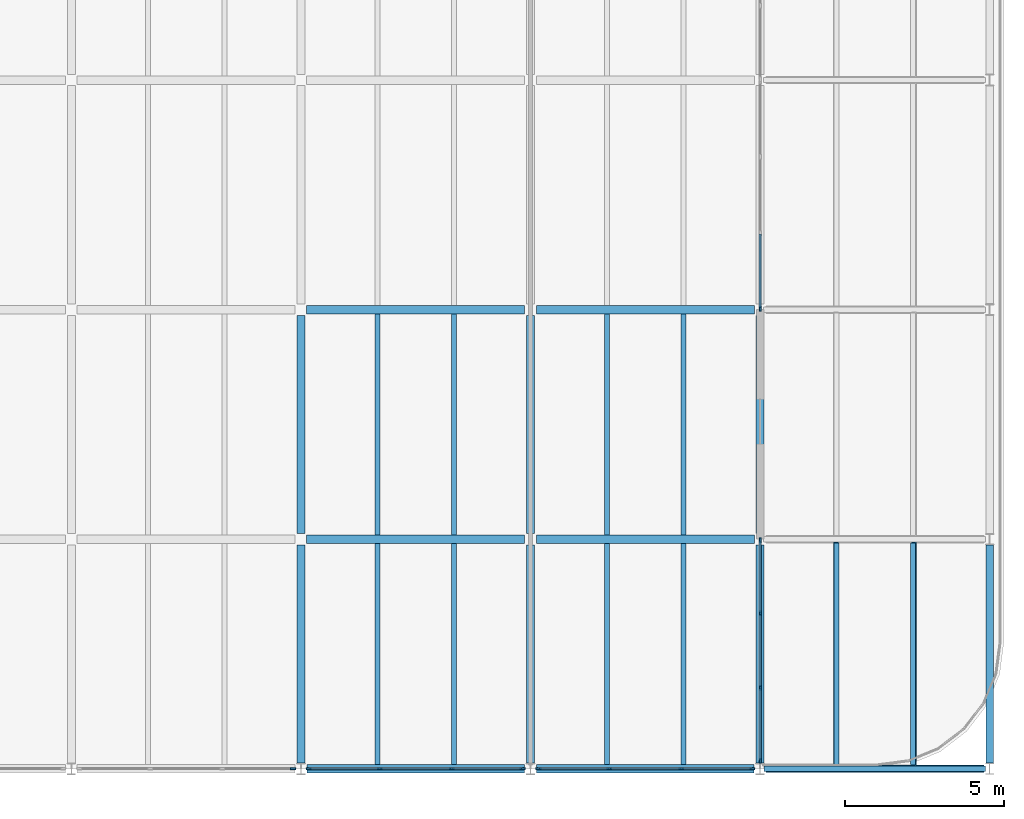
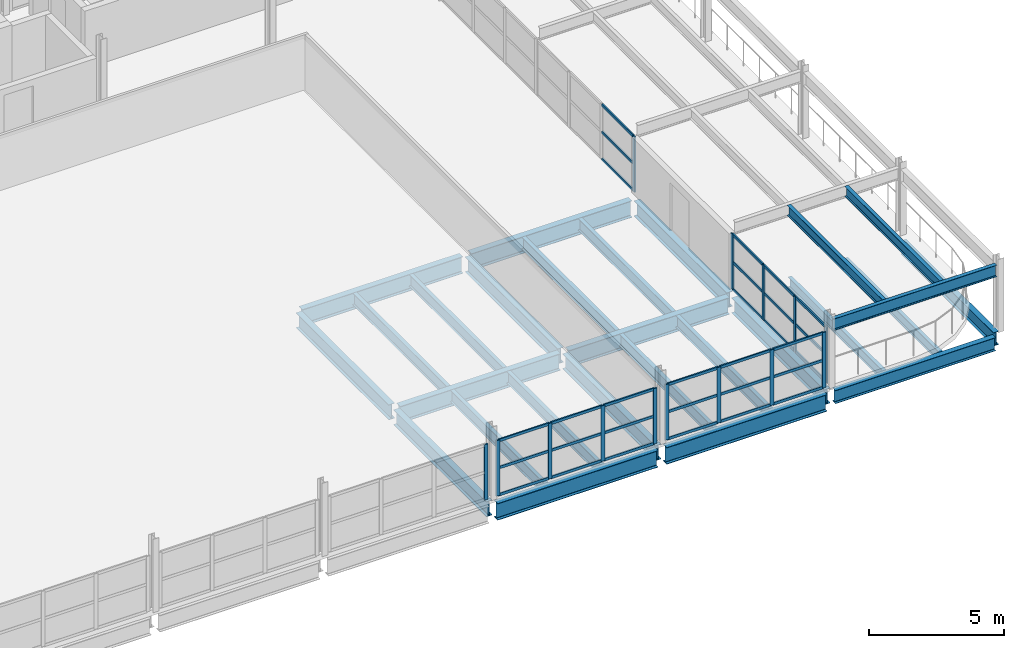
# One storey, part 15 of 25: 44 members, 27 beams, 5 elements without a shape of their own.
"""IFC4 building model written with IfcOpenShell, lengths in metres."""

from ifc_helpers import new_model, si_unit, direction, frame, origin, origin_2d, place, context, subcontext, project, spatial, rectangle, i_section, extrude, material, material_profile, profile_set, type_object, element, aggregate, save


model = new_model("IFC4")

# Units and contexts
model_context = context("Model", 3, precision=1e-05, world=origin(), true_north=direction((0.0, 1.0)))
body_context = subcontext(model_context, "Body", "Model", "MODEL_VIEW")
ifc_project = project(units=[si_unit("LENGTHUNIT", "METRE"), si_unit("AREAUNIT", "SQUARE_METRE"), si_unit("VOLUMEUNIT", "CUBIC_METRE"), si_unit("PLANEANGLEUNIT", "RADIAN"), si_unit("MASSUNIT", "GRAM", prefix="KILO")], contexts=[model_context])

# Site, building, storey
site_placement = place(None, origin())
site = spatial("IfcSite", under=ifc_project, at=site_placement, CompositionType="ELEMENT")
building_placement = place(site_placement, origin())
building = spatial("IfcBuilding", under=site, at=building_placement, Name="Vaelcorin Mobility Hub", CompositionType="ELEMENT")
storey_placement = place(building_placement, frame((0.0, 0.0, 21.0)))
storey = spatial("IfcBuildingStorey", under=building, at=storey_placement, Name="L05", CompositionType="ELEMENT", Elevation=21.0)

# Beams
ifc_material_1 = material(Name="Steel ASTM A992 Grade 50", Category="steel")
ifc_material_profile_1 = material_profile(ifc_material_1, i_section(OverallWidth=0.152099609375, OverallDepth=0.455078125, WebThickness=0.008056640625, FlangeThickness=0.01318359375, FilletRadius=0.012939453125, at=origin_2d()), Name="W18X40")
ifc_profile_set_1 = profile_set([ifc_material_profile_1], Name="Steel ASTM A992 Grade 50")
beam_type_1 = type_object("IfcBeamType", Name="BM-W18X40", PredefinedType="JOIST", material=ifc_profile_set_1)
for number, where, z_axis, x_axis, name in (
    (1, (117.60009765625, 84.112060546875, -0.447021484375), (0.0, 1.0, 0.0), (-1.0, 0.0, 0.0), "L05 Beam V3E-L05-J-01-01-1"),
    (2, (120.0, 84.112060546875, -0.447021484375), (0.0, 1.0, 0.0), (-1.0, 0.0, 0.0), "L05 Beam V3E-L05-J-01-01-2"),
):
    element("IfcBeam", number, at=place(storey_placement, frame(where, z_axis=z_axis, x_axis=x_axis)), inside=storey, type_object=beam_type_1, Name=name, PredefinedType="JOIST", context=body_context, shape_type="SweptSolid", body=[
        extrude(i_section(OverallWidth=0.152099609375, OverallDepth=0.455078125, WebThickness=0.008056640625, FlangeThickness=0.01318359375, FilletRadius=0.012939453125, at=origin_2d()), origin(), (0.0, 0.0, 1.0), 6.975830078125),
    ])
for number, where, z_axis, x_axis, name in (
    (3, (120.02392578125, 84.0810546875, 2.77197265625), (0.0, 1.0, 0.0), (-1.0, 0.0, 0.0), "L05 Beam V3-PERG-J-E-01-1"),
    (4, (117.575927734375, 84.0810546875, 2.77197265625), (0.0, 1.0, 0.0), (-1.0, 0.0, 0.0), "L05 Beam V3-PERG-J-E-01-2"),
):
    element("IfcBeam", number, at=place(storey_placement, frame(where, z_axis=z_axis, x_axis=x_axis)), inside=storey, type_object=beam_type_1, Name=name, PredefinedType="JOIST", context=body_context, shape_type="SweptSolid", body=[
        extrude(i_section(OverallWidth=0.152099609375, OverallDepth=0.455078125, WebThickness=0.008056640625, FlangeThickness=0.01318359375, FilletRadius=0.012939453125, at=origin_2d()), origin(), (0.0, 0.0, 1.0), 7.037841796875),
    ])
ifc_material_profile_2 = material_profile(ifc_material_1, i_section(OverallWidth=0.166015625, OverallDepth=0.528076171875, WebThickness=0.009765625, FlangeThickness=0.013671875, FilletRadius=0.013916015625, at=origin_2d()), Name="W21X50")
ifc_profile_set_2 = profile_set([ifc_material_profile_2], Name="Steel ASTM A992 Grade 50")
beam_type_2 = type_object("IfcBeamType", Name="BM-W21X50", PredefinedType="JOIST", material=ifc_profile_set_2)
for number, where, z_axis, x_axis, name in (
    (5, (103.199951171875, 84.132080078125, -0.52392578125), (0.0, 1.0, 0.0), (-1.0, 0.0, 0.0), "L05 Beam V3-L05-J-09-01-1"),
    (6, (105.60009765625, 84.132080078125, -0.52392578125), (0.0, 1.0, 0.0), (-1.0, 0.0, 0.0), "L05 Beam V3-L05-J-09-01-2"),
    (7, (103.199951171875, 91.33203125, -0.52392578125), (0.0, 1.0, 0.0), (-1.0, 0.0, 0.0), "L05 Beam V3-L05-J-09-02-1"),
    (8, (105.60009765625, 91.33203125, -0.52392578125), (0.0, 1.0, 0.0), (-1.0, 0.0, 0.0), "L05 Beam V3-L05-J-09-02-2"),
    (9, (110.39990234375, 84.132080078125, -0.52392578125), (0.0, 1.0, 0.0), (-1.0, 0.0, 0.0), "L05 Beam V3-L05-J-10-01-1"),
    (10, (112.800048828125, 84.132080078125, -0.52392578125), (0.0, 1.0, 0.0), (-1.0, 0.0, 0.0), "L05 Beam V3-L05-J-10-01-2"),
    (11, (110.39990234375, 91.33203125, -0.52392578125), (0.0, 1.0, 0.0), (-1.0, 0.0, 0.0), "L05 Beam V3-L05-J-10-02-1"),
    (12, (112.800048828125, 91.33203125, -0.52392578125), (0.0, 1.0, 0.0), (-1.0, 0.0, 0.0), "L05 Beam V3-L05-J-10-02-2"),
):
    element("IfcBeam", number, at=place(storey_placement, frame(where, z_axis=z_axis, x_axis=x_axis)), inside=storey, type_object=beam_type_2, Name=name, PredefinedType="JOIST", context=body_context, shape_type="SweptSolid", body=[
        extrude(i_section(OverallWidth=0.166015625, OverallDepth=0.528076171875, WebThickness=0.009765625, FlangeThickness=0.013671875, FilletRadius=0.013916015625, at=origin_2d()), origin(), (0.0, 0.0, 1.0), 6.93603515625),
    ])
beam_1_placement = place(storey_placement, frame((115.325927734375, 84.0, 2.736083984375), z_axis=(1.0, 0.0, 0.0), x_axis=(0.0, 1.0, 0.0)))
element("IfcBeam", 13, at=beam_1_placement, inside=storey, type_object=beam_type_2, Name="L05 Beam V3-PERG-GX-12-00", PredefinedType="JOIST", context=body_context, shape_type="SweptSolid", body=[
    extrude(i_section(OverallWidth=0.166015625, OverallDepth=0.528076171875, WebThickness=0.009765625, FlangeThickness=0.013671875, FilletRadius=0.013916015625, at=origin_2d()), origin(), (0.0, 0.0, 1.0), 6.948974609375),
])
ifc_material_profile_3 = material_profile(ifc_material_1, i_section(OverallWidth=0.22802734375, OverallDepth=0.60205078125, WebThickness=0.010498046875, FlangeThickness=0.014892578125, FilletRadius=0.014892578125, at=origin_2d()), Name="W24X68")
ifc_profile_set_3 = profile_set([ifc_material_profile_3], Name="Steel ASTM A992 Grade 50")
beam_type_3 = type_object("IfcBeamType", Name="BM-W24X68", PredefinedType="SPANDREL", material=ifc_profile_set_3)
beam_2_placement = place(storey_placement, frame((115.384033203125, 84.0, -0.52099609375), z_axis=(1.0, 0.0, 0.0), x_axis=(0.0, 1.0, 0.0)))
element("IfcBeam", 14, at=beam_2_placement, inside=storey, type_object=beam_type_3, Name="L05 Beam V3E-L05-GX-01-01", PredefinedType="SPANDREL", context=body_context, shape_type="SweptSolid", body=[
    extrude(i_section(OverallWidth=0.22802734375, OverallDepth=0.60205078125, WebThickness=0.010498046875, FlangeThickness=0.014892578125, FilletRadius=0.014892578125, at=origin_2d()), origin(), (0.0, 0.0, 1.0), 6.8330078125),
])
beam_3_placement = place(storey_placement, frame((122.39990234375, 84.179931640625, -0.52099609375), z_axis=(0.0, 1.0, 0.0), x_axis=(-1.0, 0.0, 0.0)))
element("IfcBeam", 15, at=beam_3_placement, inside=storey, type_object=beam_type_3, Name="L05 Beam V3E-L05-GY-02-01", PredefinedType="SPANDREL", context=body_context, shape_type="SweptSolid", body=[
    extrude(i_section(OverallWidth=0.22802734375, OverallDepth=0.60205078125, WebThickness=0.010498046875, FlangeThickness=0.014892578125, FilletRadius=0.014892578125, at=origin_2d()), origin(), (0.0, 0.0, 1.0), 6.843994140625),
])
ifc_material_profile_4 = material_profile(ifc_material_1, i_section(OverallWidth=0.25390625, OverallDepth=0.68310546875, WebThickness=0.012451171875, FlangeThickness=0.018798828125, FilletRadius=0.01611328125, at=origin_2d()), Name="W27X94")
ifc_profile_set_4 = profile_set([ifc_material_profile_4], Name="Steel ASTM A992 Grade 50")
beam_type_4 = type_object("IfcBeamType", Name="BM-W27X94", PredefinedType="BEAM", material=ifc_profile_set_4)
beam_4_placement = place(storey_placement, frame((100.800048828125, 84.179931640625, -0.60205078125), z_axis=(0.0, 1.0, 0.0), x_axis=(-1.0, 0.0, 0.0)))
element("IfcBeam", 16, at=beam_4_placement, inside=storey, type_object=beam_type_4, Name="L05 Beam V3-L05-GY-09-01", PredefinedType="BEAM", context=body_context, shape_type="SweptSolid", body=[
    extrude(i_section(OverallWidth=0.25390625, OverallDepth=0.68310546875, WebThickness=0.012451171875, FlangeThickness=0.018798828125, FilletRadius=0.01611328125, at=origin_2d()), origin(), (0.0, 0.0, 1.0), 6.843994140625),
])
beam_5_placement = place(storey_placement, frame((100.800048828125, 91.3759765625, -0.60205078125), z_axis=(0.0, 1.0, 0.0), x_axis=(-1.0, 0.0, 0.0)))
element("IfcBeam", 17, at=beam_5_placement, inside=storey, type_object=beam_type_4, Name="L05 Beam V3-L05-GY-09-02", PredefinedType="BEAM", context=body_context, shape_type="SweptSolid", body=[
    extrude(i_section(OverallWidth=0.25390625, OverallDepth=0.68310546875, WebThickness=0.012451171875, FlangeThickness=0.018798828125, FilletRadius=0.01611328125, at=origin_2d()), origin(), (0.0, 0.0, 1.0), 6.84814453125),
])
beam_6_placement = place(storey_placement, frame((108.0, 84.179931640625, -0.60205078125), z_axis=(0.0, 1.0, 0.0), x_axis=(-1.0, 0.0, 0.0)))
element("IfcBeam", 18, at=beam_6_placement, inside=storey, type_object=beam_type_4, Name="L05 Beam V3-L05-GY-10-01", PredefinedType="BEAM", context=body_context, shape_type="SweptSolid", body=[
    extrude(i_section(OverallWidth=0.25390625, OverallDepth=0.68310546875, WebThickness=0.012451171875, FlangeThickness=0.018798828125, FilletRadius=0.01611328125, at=origin_2d()), origin(), (0.0, 0.0, 1.0), 6.843994140625),
])
beam_7_placement = place(storey_placement, frame((108.0, 91.3759765625, -0.60205078125), z_axis=(0.0, 1.0, 0.0), x_axis=(-1.0, 0.0, 0.0)))
element("IfcBeam", 19, at=beam_7_placement, inside=storey, type_object=beam_type_4, Name="L05 Beam V3-L05-GY-10-02", PredefinedType="BEAM", context=body_context, shape_type="SweptSolid", body=[
    extrude(i_section(OverallWidth=0.25390625, OverallDepth=0.68310546875, WebThickness=0.012451171875, FlangeThickness=0.018798828125, FilletRadius=0.01611328125, at=origin_2d()), origin(), (0.0, 0.0, 1.0), 6.84814453125),
])
beam_8_placement = place(storey_placement, frame((115.199951171875, 84.179931640625, -0.60205078125), z_axis=(0.0, 1.0, 0.0), x_axis=(-1.0, 0.0, 0.0)))
element("IfcBeam", 20, at=beam_8_placement, inside=storey, type_object=beam_type_4, Name="L05 Beam V3-L05-GY-11-01", PredefinedType="BEAM", context=body_context, shape_type="SweptSolid", body=[
    extrude(i_section(OverallWidth=0.25390625, OverallDepth=0.68310546875, WebThickness=0.012451171875, FlangeThickness=0.018798828125, FilletRadius=0.01611328125, at=origin_2d()), origin(), (0.0, 0.0, 1.0), 6.843994140625),
])
beam_9_placement = place(storey_placement, frame((115.199951171875, 91.3759765625, -0.60205078125), z_axis=(0.0, 1.0, 0.0), x_axis=(-1.0, 0.0, 0.0)))
element("IfcBeam", 21, at=beam_9_placement, inside=storey, type_object=beam_type_4, Name="L05 Beam V3-L05-GY-11-02", PredefinedType="BEAM", context=body_context, shape_type="SweptSolid", body=[
    extrude(i_section(OverallWidth=0.25390625, OverallDepth=0.68310546875, WebThickness=0.012451171875, FlangeThickness=0.018798828125, FilletRadius=0.01611328125, at=origin_2d()), origin(), (0.0, 0.0, 1.0), 6.84814453125),
])
ifc_material_profile_5 = material_profile(ifc_material_1, i_section(OverallWidth=0.26708984375, OverallDepth=0.757080078125, WebThickness=0.013916015625, FlangeThickness=0.019287109375, FilletRadius=0.01708984375, at=origin_2d()), Name="W30X108")
ifc_profile_set_5 = profile_set([ifc_material_profile_5], Name="Steel ASTM A992 Grade 50")
beam_type_5 = type_object("IfcBeamType", Name="BM-W30X108", PredefinedType="BEAM", material=ifc_profile_set_5)
for number, where, z_axis, x_axis, name in (
    (22, (100.98291015625, 84.0, -0.637939453125), (1.0, 0.0, 0.0), (0.0, 1.0, 0.0), "L05 Beam V3-L05-GX-01-09"),
    (23, (108.18408203125, 84.0, -0.637939453125), (1.0, 0.0, 0.0), (0.0, 1.0, 0.0), "L05 Beam V3-L05-GX-01-10"),
):
    element("IfcBeam", number, at=place(storey_placement, frame(where, z_axis=z_axis, x_axis=x_axis)), inside=storey, type_object=beam_type_5, Name=name, PredefinedType="BEAM", context=body_context, shape_type="SweptSolid", body=[
        extrude(i_section(OverallWidth=0.26708984375, OverallDepth=0.757080078125, WebThickness=0.013916015625, FlangeThickness=0.019287109375, FilletRadius=0.01708984375, at=origin_2d()), origin(), (0.0, 0.0, 1.0), 6.8330078125),
    ])
for number, where, z_axis, x_axis, name in (
    (24, (100.98193359375, 91.199951171875, -0.637939453125), (1.0, 0.0, 0.0), (0.0, 1.0, 0.0), "L05 Beam V3-L05-GX-02-09"),
    (25, (108.181884765625, 91.199951171875, -0.637939453125), (1.0, 0.0, 0.0), (0.0, 1.0, 0.0), "L05 Beam V3-L05-GX-02-10"),
    (26, (100.98193359375, 98.39990234375, -0.637939453125), (1.0, 0.0, 0.0), (0.0, 1.0, 0.0), "L05 Beam V3-L05-GX-03-09"),
    (27, (108.181884765625, 98.39990234375, -0.637939453125), (1.0, 0.0, 0.0), (0.0, 1.0, 0.0), "L05 Beam V3-L05-GX-03-10"),
):
    element("IfcBeam", number, at=place(storey_placement, frame(where, z_axis=z_axis, x_axis=x_axis)), inside=storey, type_object=beam_type_5, Name=name, PredefinedType="BEAM", context=body_context, shape_type="SweptSolid", body=[
        extrude(i_section(OverallWidth=0.26708984375, OverallDepth=0.757080078125, WebThickness=0.013916015625, FlangeThickness=0.019287109375, FilletRadius=0.01708984375, at=origin_2d()), origin(), (0.0, 0.0, 1.0), 6.836181640625),
    ])

# Curtain wall, member
ifc_material_2 = material(Name="Anodised aluminium 6063-T6", Category="aluminium")
curtain_wall_type_1 = type_object("IfcCurtainWallType", Name="CW-SPT-A", PredefinedType="NOTDEFINED", material=ifc_material_2)
curtain_wall_1_placement = place(storey_placement, origin())
curtain_wall_1 = element("IfcCurtainWall", 28, at=curtain_wall_1_placement, inside=storey, type_object=curtain_wall_type_1, Name="L05 Curtain Wall CW-V3-S-08", PredefinedType="NOTDEFINED")
ifc_material_profile_6 = material_profile(ifc_material_2, rectangle(XDim=0.06005859375, YDim=0.159912109375, at=origin_2d()), Name="ALU-M60X160")
ifc_profile_set_6 = profile_set([ifc_material_profile_6], Name="Anodised aluminium 6063-T6")
member_type_1 = type_object("IfcMemberType", Name="CW-MULL-160", PredefinedType="MULLION", material=ifc_profile_set_6)
member_1_placement = place(storey_placement, frame((100.550048828125, 84.0, 0.0), z_axis=(0.0, 0.0, 1.0), x_axis=(0.0, -1.0, 0.0)))
member_1 = element("IfcMember", 29, at=member_1_placement, type_object=member_type_1, Name="CW5 mullion 1", PredefinedType="MULLION", context=body_context, shape_type="SweptSolid", body=[
    extrude(rectangle(XDim=0.06005859375, YDim=0.159912109375, at=origin_2d()), origin(), (0.0, 0.0, 1.0), 2.5),
])
aggregate(curtain_wall_1, [member_1])

# Curtain wall, members
curtain_wall_2_placement = place(storey_placement, origin())
curtain_wall_2 = element("IfcCurtainWall", 30, at=curtain_wall_2_placement, inside=storey, type_object=curtain_wall_type_1, Name="L05 Curtain Wall CW-V3-S-09", PredefinedType="NOTDEFINED")
member_2_placement = place(storey_placement, frame((107.75, 84.0, 0.0), z_axis=(0.0, 0.0, 1.0), x_axis=(0.0, -1.0, 0.0)))
member_2 = element("IfcMember", 31, at=member_2_placement, type_object=member_type_1, Name="CW5 mullion 1", PredefinedType="MULLION", context=body_context, shape_type="SweptSolid", body=[
    extrude(rectangle(XDim=0.06005859375, YDim=0.159912109375, at=origin_2d()), origin(), (0.0, 0.0, 1.0), 2.5),
])
member_3_placement = place(storey_placement, frame((105.526611328125, 84.0, 0.0), z_axis=(0.0, 0.0, 1.0), x_axis=(0.0, -1.0, 0.0)))
member_3 = element("IfcMember", 32, at=member_3_placement, type_object=member_type_1, Name="CW5 mullion 2", PredefinedType="MULLION", context=body_context, shape_type="SweptSolid", body=[
    extrude(rectangle(XDim=0.06005859375, YDim=0.159912109375, at=origin_2d()), origin(), (0.0, 0.0, 1.0), 2.5),
])
member_4_placement = place(storey_placement, frame((103.2734375, 84.0, 0.0), z_axis=(0.0, 0.0, 1.0), x_axis=(0.0, -1.0, 0.0)))
member_4 = element("IfcMember", 33, at=member_4_placement, type_object=member_type_1, Name="CW5 mullion 3", PredefinedType="MULLION", context=body_context, shape_type="SweptSolid", body=[
    extrude(rectangle(XDim=0.06005859375, YDim=0.159912109375, at=origin_2d()), origin(), (0.0, 0.0, 1.0), 2.5),
])
member_5_placement = place(storey_placement, frame((101.050048828125, 84.0, 0.0), z_axis=(0.0, 0.0, 1.0), x_axis=(0.0, -1.0, 0.0)))
member_5 = element("IfcMember", 34, at=member_5_placement, type_object=member_type_1, Name="CW5 mullion 4", PredefinedType="MULLION", context=body_context, shape_type="SweptSolid", body=[
    extrude(rectangle(XDim=0.06005859375, YDim=0.159912109375, at=origin_2d()), origin(), (0.0, 0.0, 1.0), 2.5),
])

curtain_wall_3_placement = place(storey_placement, origin())
curtain_wall_3 = element("IfcCurtainWall", 35, at=curtain_wall_3_placement, inside=storey, type_object=curtain_wall_type_1, Name="L05 Curtain Wall CW-V3-S-10", PredefinedType="NOTDEFINED")
member_6_placement = place(storey_placement, frame((114.949951171875, 84.0, 0.0), z_axis=(0.0, 0.0, 1.0), x_axis=(0.0, -1.0, 0.0)))
member_6 = element("IfcMember", 36, at=member_6_placement, type_object=member_type_1, Name="CW5 mullion 1", PredefinedType="MULLION", context=body_context, shape_type="SweptSolid", body=[
    extrude(rectangle(XDim=0.06005859375, YDim=0.159912109375, at=origin_2d()), origin(), (0.0, 0.0, 1.0), 2.5),
])
member_7_placement = place(storey_placement, frame((112.7265625, 84.0, 0.0), z_axis=(0.0, 0.0, 1.0), x_axis=(0.0, -1.0, 0.0)))
member_7 = element("IfcMember", 37, at=member_7_placement, type_object=member_type_1, Name="CW5 mullion 2", PredefinedType="MULLION", context=body_context, shape_type="SweptSolid", body=[
    extrude(rectangle(XDim=0.06005859375, YDim=0.159912109375, at=origin_2d()), origin(), (0.0, 0.0, 1.0), 2.5),
])
member_8_placement = place(storey_placement, frame((110.473388671875, 84.0, 0.0), z_axis=(0.0, 0.0, 1.0), x_axis=(0.0, -1.0, 0.0)))
member_8 = element("IfcMember", 38, at=member_8_placement, type_object=member_type_1, Name="CW5 mullion 3", PredefinedType="MULLION", context=body_context, shape_type="SweptSolid", body=[
    extrude(rectangle(XDim=0.06005859375, YDim=0.159912109375, at=origin_2d()), origin(), (0.0, 0.0, 1.0), 2.5),
])
member_9_placement = place(storey_placement, frame((108.25, 84.0, 0.0), z_axis=(0.0, 0.0, 1.0), x_axis=(0.0, -1.0, 0.0)))
member_9 = element("IfcMember", 39, at=member_9_placement, type_object=member_type_1, Name="CW5 mullion 4", PredefinedType="MULLION", context=body_context, shape_type="SweptSolid", body=[
    extrude(rectangle(XDim=0.06005859375, YDim=0.159912109375, at=origin_2d()), origin(), (0.0, 0.0, 1.0), 2.5),
])

curtain_wall_type_2 = type_object("IfcCurtainWallType", Name="CW-SPT-B", PredefinedType="NOTDEFINED", material=ifc_material_2)
curtain_wall_4_placement = place(storey_placement, origin())
curtain_wall_4 = element("IfcCurtainWall", 40, at=curtain_wall_4_placement, inside=storey, type_object=curtain_wall_type_2, Name="L05 Curtain Wall CW-V3-E-01", PredefinedType="NOTDEFINED")
member_10_placement = place(storey_placement, frame((115.199951171875, 91.16796875, 0.0), z_axis=(0.0, 0.0, 1.0), x_axis=(1.0, 0.0, 0.0)))
member_10 = element("IfcMember", 41, at=member_10_placement, type_object=member_type_1, Name="CW6 mullion 1", PredefinedType="MULLION", context=body_context, shape_type="SweptSolid", body=[
    extrude(rectangle(XDim=0.06005859375, YDim=0.159912109375, at=origin_2d()), origin(), (0.0, 0.0, 1.0), 2.5),
])
member_11_placement = place(storey_placement, frame((115.199951171875, 88.8720703125, 0.0), z_axis=(0.0, 0.0, 1.0), x_axis=(1.0, 0.0, 0.0)))
member_11 = element("IfcMember", 42, at=member_11_placement, type_object=member_type_1, Name="CW6 mullion 2", PredefinedType="MULLION", context=body_context, shape_type="SweptSolid", body=[
    extrude(rectangle(XDim=0.06005859375, YDim=0.159912109375, at=origin_2d()), origin(), (0.0, 0.0, 1.0), 2.5),
])
member_12_placement = place(storey_placement, frame((115.199951171875, 86.5458984375, 0.0), z_axis=(0.0, 0.0, 1.0), x_axis=(1.0, 0.0, 0.0)))
member_12 = element("IfcMember", 43, at=member_12_placement, type_object=member_type_1, Name="CW6 mullion 3", PredefinedType="MULLION", context=body_context, shape_type="SweptSolid", body=[
    extrude(rectangle(XDim=0.06005859375, YDim=0.159912109375, at=origin_2d()), origin(), (0.0, 0.0, 1.0), 2.5),
])
member_13_placement = place(storey_placement, frame((115.199951171875, 84.25, 0.0), z_axis=(0.0, 0.0, 1.0), x_axis=(1.0, 0.0, 0.0)))
member_13 = element("IfcMember", 44, at=member_13_placement, type_object=member_type_1, Name="CW6 mullion 4", PredefinedType="MULLION", context=body_context, shape_type="SweptSolid", body=[
    extrude(rectangle(XDim=0.06005859375, YDim=0.159912109375, at=origin_2d()), origin(), (0.0, 0.0, 1.0), 2.5),
])

# Curtain wall, member
curtain_wall_5_placement = place(storey_placement, origin())
curtain_wall_5 = element("IfcCurtainWall", 45, at=curtain_wall_5_placement, inside=storey, type_object=curtain_wall_type_2, Name="L05 Curtain Wall CW-V3-E-03", PredefinedType="NOTDEFINED")
member_14_placement = place(storey_placement, frame((115.199951171875, 98.431884765625, 0.0), z_axis=(0.0, 0.0, 1.0), x_axis=(1.0, 0.0, 0.0)))
member_14 = element("IfcMember", 46, at=member_14_placement, type_object=member_type_1, Name="CW6 mullion 4", PredefinedType="MULLION", context=body_context, shape_type="SweptSolid", body=[
    extrude(rectangle(XDim=0.06005859375, YDim=0.159912109375, at=origin_2d()), origin(), (0.0, 0.0, 1.0), 2.5),
])

# Member
ifc_material_profile_7 = material_profile(ifc_material_2, rectangle(XDim=0.06005859375, YDim=0.1201171875, at=origin_2d()), Name="ALU-T60X120")
ifc_profile_set_7 = profile_set([ifc_material_profile_7], Name="Anodised aluminium 6063-T6")
member_type_2 = type_object("IfcMemberType", Name="CW-TRAN-140", PredefinedType="USERDEFINED", material=ifc_profile_set_7)
member_15_placement = place(storey_placement, frame((107.719970703125, 84.0, 0.030029296875), z_axis=(-1.0, 0.0, 0.0), x_axis=(0.0, -1.0, 0.0)))
member_15 = element("IfcMember", 47, at=member_15_placement, type_object=member_type_2, Name="CW5 transom 1.1", ObjectType="TRANSOM", PredefinedType="USERDEFINED", context=body_context, shape_type="SweptSolid", body=[
    extrude(rectangle(XDim=0.06005859375, YDim=0.1201171875, at=origin_2d()), origin(), (0.0, 0.0, 1.0), 2.163330078125),
])

member_16_placement = place(storey_placement, frame((107.719970703125, 84.0, 1.25), z_axis=(-1.0, 0.0, 0.0), x_axis=(0.0, -1.0, 0.0)))
member_16 = element("IfcMember", 48, at=member_16_placement, type_object=member_type_2, Name="CW5 transom 1.2", ObjectType="TRANSOM", PredefinedType="USERDEFINED", context=body_context, shape_type="SweptSolid", body=[
    extrude(rectangle(XDim=0.06005859375, YDim=0.1201171875, at=origin_2d()), origin(), (0.0, 0.0, 1.0), 2.163330078125),
])

member_17_placement = place(storey_placement, frame((107.719970703125, 84.0, 2.469970703125), z_axis=(-1.0, 0.0, 0.0), x_axis=(0.0, -1.0, 0.0)))
member_17 = element("IfcMember", 49, at=member_17_placement, type_object=member_type_2, Name="CW5 transom 1.3", ObjectType="TRANSOM", PredefinedType="USERDEFINED", context=body_context, shape_type="SweptSolid", body=[
    extrude(rectangle(XDim=0.06005859375, YDim=0.1201171875, at=origin_2d()), origin(), (0.0, 0.0, 1.0), 2.163330078125),
])

member_18_placement = place(storey_placement, frame((105.49658203125, 84.0, 0.030029296875), z_axis=(-1.0, 0.0, 0.0), x_axis=(0.0, -1.0, 0.0)))
member_18 = element("IfcMember", 50, at=member_18_placement, type_object=member_type_2, Name="CW5 transom 2.1", ObjectType="TRANSOM", PredefinedType="USERDEFINED", context=body_context, shape_type="SweptSolid", body=[
    extrude(rectangle(XDim=0.06005859375, YDim=0.1201171875, at=origin_2d()), origin(), (0.0, 0.0, 1.0), 2.193359375),
])

member_19_placement = place(storey_placement, frame((105.49658203125, 84.0, 1.25), z_axis=(-1.0, 0.0, 0.0), x_axis=(0.0, -1.0, 0.0)))
member_19 = element("IfcMember", 51, at=member_19_placement, type_object=member_type_2, Name="CW5 transom 2.2", ObjectType="TRANSOM", PredefinedType="USERDEFINED", context=body_context, shape_type="SweptSolid", body=[
    extrude(rectangle(XDim=0.06005859375, YDim=0.1201171875, at=origin_2d()), origin(), (0.0, 0.0, 1.0), 2.193359375),
])

member_20_placement = place(storey_placement, frame((105.49658203125, 84.0, 2.469970703125), z_axis=(-1.0, 0.0, 0.0), x_axis=(0.0, -1.0, 0.0)))
member_20 = element("IfcMember", 52, at=member_20_placement, type_object=member_type_2, Name="CW5 transom 2.3", ObjectType="TRANSOM", PredefinedType="USERDEFINED", context=body_context, shape_type="SweptSolid", body=[
    extrude(rectangle(XDim=0.06005859375, YDim=0.1201171875, at=origin_2d()), origin(), (0.0, 0.0, 1.0), 2.193359375),
])

member_21_placement = place(storey_placement, frame((103.243408203125, 84.0, 0.030029296875), z_axis=(-1.0, 0.0, 0.0), x_axis=(0.0, -1.0, 0.0)))
member_21 = element("IfcMember", 53, at=member_21_placement, type_object=member_type_2, Name="CW5 transom 3.1", ObjectType="TRANSOM", PredefinedType="USERDEFINED", context=body_context, shape_type="SweptSolid", body=[
    extrude(rectangle(XDim=0.06005859375, YDim=0.1201171875, at=origin_2d()), origin(), (0.0, 0.0, 1.0), 2.163330078125),
])

member_22_placement = place(storey_placement, frame((103.243408203125, 84.0, 1.25), z_axis=(-1.0, 0.0, 0.0), x_axis=(0.0, -1.0, 0.0)))
member_22 = element("IfcMember", 54, at=member_22_placement, type_object=member_type_2, Name="CW5 transom 3.2", ObjectType="TRANSOM", PredefinedType="USERDEFINED", context=body_context, shape_type="SweptSolid", body=[
    extrude(rectangle(XDim=0.06005859375, YDim=0.1201171875, at=origin_2d()), origin(), (0.0, 0.0, 1.0), 2.163330078125),
])

member_23_placement = place(storey_placement, frame((103.243408203125, 84.0, 2.469970703125), z_axis=(-1.0, 0.0, 0.0), x_axis=(0.0, -1.0, 0.0)))
member_23 = element("IfcMember", 55, at=member_23_placement, type_object=member_type_2, Name="CW5 transom 3.3", ObjectType="TRANSOM", PredefinedType="USERDEFINED", context=body_context, shape_type="SweptSolid", body=[
    extrude(rectangle(XDim=0.06005859375, YDim=0.1201171875, at=origin_2d()), origin(), (0.0, 0.0, 1.0), 2.163330078125),
])

aggregate(curtain_wall_2, [member_2, member_3, member_4, member_5, member_15, member_16, member_17, member_18, member_19, member_20, member_21, member_22, member_23])

member_24_placement = place(storey_placement, frame((114.919921875, 84.0, 0.030029296875), z_axis=(-1.0, 0.0, 0.0), x_axis=(0.0, -1.0, 0.0)))
member_24 = element("IfcMember", 56, at=member_24_placement, type_object=member_type_2, Name="CW5 transom 1.1", ObjectType="TRANSOM", PredefinedType="USERDEFINED", context=body_context, shape_type="SweptSolid", body=[
    extrude(rectangle(XDim=0.06005859375, YDim=0.1201171875, at=origin_2d()), origin(), (0.0, 0.0, 1.0), 2.163330078125),
])

member_25_placement = place(storey_placement, frame((114.919921875, 84.0, 1.25), z_axis=(-1.0, 0.0, 0.0), x_axis=(0.0, -1.0, 0.0)))
member_25 = element("IfcMember", 57, at=member_25_placement, type_object=member_type_2, Name="CW5 transom 1.2", ObjectType="TRANSOM", PredefinedType="USERDEFINED", context=body_context, shape_type="SweptSolid", body=[
    extrude(rectangle(XDim=0.06005859375, YDim=0.1201171875, at=origin_2d()), origin(), (0.0, 0.0, 1.0), 2.163330078125),
])

member_26_placement = place(storey_placement, frame((114.919921875, 84.0, 2.469970703125), z_axis=(-1.0, 0.0, 0.0), x_axis=(0.0, -1.0, 0.0)))
member_26 = element("IfcMember", 58, at=member_26_placement, type_object=member_type_2, Name="CW5 transom 1.3", ObjectType="TRANSOM", PredefinedType="USERDEFINED", context=body_context, shape_type="SweptSolid", body=[
    extrude(rectangle(XDim=0.06005859375, YDim=0.1201171875, at=origin_2d()), origin(), (0.0, 0.0, 1.0), 2.163330078125),
])

member_27_placement = place(storey_placement, frame((112.69677734375, 84.0, 0.030029296875), z_axis=(-1.0, 0.0, 0.0), x_axis=(0.0, -1.0, 0.0)))
member_27 = element("IfcMember", 59, at=member_27_placement, type_object=member_type_2, Name="CW5 transom 2.1", ObjectType="TRANSOM", PredefinedType="USERDEFINED", context=body_context, shape_type="SweptSolid", body=[
    extrude(rectangle(XDim=0.06005859375, YDim=0.1201171875, at=origin_2d()), origin(), (0.0, 0.0, 1.0), 2.193359375),
])

member_28_placement = place(storey_placement, frame((112.69677734375, 84.0, 1.25), z_axis=(-1.0, 0.0, 0.0), x_axis=(0.0, -1.0, 0.0)))
member_28 = element("IfcMember", 60, at=member_28_placement, type_object=member_type_2, Name="CW5 transom 2.2", ObjectType="TRANSOM", PredefinedType="USERDEFINED", context=body_context, shape_type="SweptSolid", body=[
    extrude(rectangle(XDim=0.06005859375, YDim=0.1201171875, at=origin_2d()), origin(), (0.0, 0.0, 1.0), 2.193359375),
])

member_29_placement = place(storey_placement, frame((112.69677734375, 84.0, 2.469970703125), z_axis=(-1.0, 0.0, 0.0), x_axis=(0.0, -1.0, 0.0)))
member_29 = element("IfcMember", 61, at=member_29_placement, type_object=member_type_2, Name="CW5 transom 2.3", ObjectType="TRANSOM", PredefinedType="USERDEFINED", context=body_context, shape_type="SweptSolid", body=[
    extrude(rectangle(XDim=0.06005859375, YDim=0.1201171875, at=origin_2d()), origin(), (0.0, 0.0, 1.0), 2.193359375),
])

member_30_placement = place(storey_placement, frame((110.443359375, 84.0, 0.030029296875), z_axis=(-1.0, 0.0, 0.0), x_axis=(0.0, -1.0, 0.0)))
member_30 = element("IfcMember", 62, at=member_30_placement, type_object=member_type_2, Name="CW5 transom 3.1", ObjectType="TRANSOM", PredefinedType="USERDEFINED", context=body_context, shape_type="SweptSolid", body=[
    extrude(rectangle(XDim=0.06005859375, YDim=0.1201171875, at=origin_2d()), origin(), (0.0, 0.0, 1.0), 2.163330078125),
])

member_31_placement = place(storey_placement, frame((110.443359375, 84.0, 1.25), z_axis=(-1.0, 0.0, 0.0), x_axis=(0.0, -1.0, 0.0)))
member_31 = element("IfcMember", 63, at=member_31_placement, type_object=member_type_2, Name="CW5 transom 3.2", ObjectType="TRANSOM", PredefinedType="USERDEFINED", context=body_context, shape_type="SweptSolid", body=[
    extrude(rectangle(XDim=0.06005859375, YDim=0.1201171875, at=origin_2d()), origin(), (0.0, 0.0, 1.0), 2.163330078125),
])

member_32_placement = place(storey_placement, frame((110.443359375, 84.0, 2.469970703125), z_axis=(-1.0, 0.0, 0.0), x_axis=(0.0, -1.0, 0.0)))
member_32 = element("IfcMember", 64, at=member_32_placement, type_object=member_type_2, Name="CW5 transom 3.3", ObjectType="TRANSOM", PredefinedType="USERDEFINED", context=body_context, shape_type="SweptSolid", body=[
    extrude(rectangle(XDim=0.06005859375, YDim=0.1201171875, at=origin_2d()), origin(), (0.0, 0.0, 1.0), 2.163330078125),
])

aggregate(curtain_wall_3, [member_6, member_7, member_8, member_9, member_24, member_25, member_26, member_27, member_28, member_29, member_30, member_31, member_32])

member_33_placement = place(storey_placement, frame((115.199951171875, 91.137939453125, 0.030029296875), z_axis=(0.0, -1.0, 0.0), x_axis=(1.0, 0.0, 0.0)))
member_33 = element("IfcMember", 65, at=member_33_placement, type_object=member_type_2, Name="CW6 transom 1.1", ObjectType="TRANSOM", PredefinedType="USERDEFINED", context=body_context, shape_type="SweptSolid", body=[
    extrude(rectangle(XDim=0.06005859375, YDim=0.1201171875, at=origin_2d()), origin(), (0.0, 0.0, 1.0), 2.23583984375),
])

member_34_placement = place(storey_placement, frame((115.199951171875, 91.137939453125, 1.25), z_axis=(0.0, -1.0, 0.0), x_axis=(1.0, 0.0, 0.0)))
member_34 = element("IfcMember", 66, at=member_34_placement, type_object=member_type_2, Name="CW6 transom 1.2", ObjectType="TRANSOM", PredefinedType="USERDEFINED", context=body_context, shape_type="SweptSolid", body=[
    extrude(rectangle(XDim=0.06005859375, YDim=0.1201171875, at=origin_2d()), origin(), (0.0, 0.0, 1.0), 2.23583984375),
])

member_35_placement = place(storey_placement, frame((115.199951171875, 91.137939453125, 2.469970703125), z_axis=(0.0, -1.0, 0.0), x_axis=(1.0, 0.0, 0.0)))
member_35 = element("IfcMember", 67, at=member_35_placement, type_object=member_type_2, Name="CW6 transom 1.3", ObjectType="TRANSOM", PredefinedType="USERDEFINED", context=body_context, shape_type="SweptSolid", body=[
    extrude(rectangle(XDim=0.06005859375, YDim=0.1201171875, at=origin_2d()), origin(), (0.0, 0.0, 1.0), 2.23583984375),
])

member_36_placement = place(storey_placement, frame((115.199951171875, 88.842041015625, 0.030029296875), z_axis=(0.0, -1.0, 0.0), x_axis=(1.0, 0.0, 0.0)))
member_36 = element("IfcMember", 68, at=member_36_placement, type_object=member_type_2, Name="CW6 transom 2.1", ObjectType="TRANSOM", PredefinedType="USERDEFINED", context=body_context, shape_type="SweptSolid", body=[
    extrude(rectangle(XDim=0.06005859375, YDim=0.1201171875, at=origin_2d()), origin(), (0.0, 0.0, 1.0), 2.26611328125),
])

member_37_placement = place(storey_placement, frame((115.199951171875, 88.842041015625, 1.25), z_axis=(0.0, -1.0, 0.0), x_axis=(1.0, 0.0, 0.0)))
member_37 = element("IfcMember", 69, at=member_37_placement, type_object=member_type_2, Name="CW6 transom 2.2", ObjectType="TRANSOM", PredefinedType="USERDEFINED", context=body_context, shape_type="SweptSolid", body=[
    extrude(rectangle(XDim=0.06005859375, YDim=0.1201171875, at=origin_2d()), origin(), (0.0, 0.0, 1.0), 2.26611328125),
])

member_38_placement = place(storey_placement, frame((115.199951171875, 88.842041015625, 2.469970703125), z_axis=(0.0, -1.0, 0.0), x_axis=(1.0, 0.0, 0.0)))
member_38 = element("IfcMember", 70, at=member_38_placement, type_object=member_type_2, Name="CW6 transom 2.3", ObjectType="TRANSOM", PredefinedType="USERDEFINED", context=body_context, shape_type="SweptSolid", body=[
    extrude(rectangle(XDim=0.06005859375, YDim=0.1201171875, at=origin_2d()), origin(), (0.0, 0.0, 1.0), 2.26611328125),
])

member_39_placement = place(storey_placement, frame((115.199951171875, 86.51611328125, 0.030029296875), z_axis=(0.0, -1.0, 0.0), x_axis=(1.0, 0.0, 0.0)))
member_39 = element("IfcMember", 71, at=member_39_placement, type_object=member_type_2, Name="CW6 transom 3.1", ObjectType="TRANSOM", PredefinedType="USERDEFINED", context=body_context, shape_type="SweptSolid", body=[
    extrude(rectangle(XDim=0.06005859375, YDim=0.1201171875, at=origin_2d()), origin(), (0.0, 0.0, 1.0), 2.236083984375),
])

member_40_placement = place(storey_placement, frame((115.199951171875, 86.51611328125, 1.25), z_axis=(0.0, -1.0, 0.0), x_axis=(1.0, 0.0, 0.0)))
member_40 = element("IfcMember", 72, at=member_40_placement, type_object=member_type_2, Name="CW6 transom 3.2", ObjectType="TRANSOM", PredefinedType="USERDEFINED", context=body_context, shape_type="SweptSolid", body=[
    extrude(rectangle(XDim=0.06005859375, YDim=0.1201171875, at=origin_2d()), origin(), (0.0, 0.0, 1.0), 2.236083984375),
])

member_41_placement = place(storey_placement, frame((115.199951171875, 86.51611328125, 2.469970703125), z_axis=(0.0, -1.0, 0.0), x_axis=(1.0, 0.0, 0.0)))
member_41 = element("IfcMember", 73, at=member_41_placement, type_object=member_type_2, Name="CW6 transom 3.3", ObjectType="TRANSOM", PredefinedType="USERDEFINED", context=body_context, shape_type="SweptSolid", body=[
    extrude(rectangle(XDim=0.06005859375, YDim=0.1201171875, at=origin_2d()), origin(), (0.0, 0.0, 1.0), 2.236083984375),
])

aggregate(curtain_wall_4, [member_10, member_11, member_12, member_13, member_33, member_34, member_35, member_36, member_37, member_38, member_39, member_40, member_41])

member_42_placement = place(storey_placement, frame((115.199951171875, 100.770751953125, 0.030029296875), z_axis=(0.0, -1.0, 0.0), x_axis=(1.0, 0.0, 0.0)))
member_42 = element("IfcMember", 74, at=member_42_placement, type_object=member_type_2, Name="CW6 transom 3.1", ObjectType="TRANSOM", PredefinedType="USERDEFINED", context=body_context, shape_type="SweptSolid", body=[
    extrude(rectangle(XDim=0.06005859375, YDim=0.1201171875, at=origin_2d()), origin(), (0.0, 0.0, 1.0), 2.308837890625),
])

member_43_placement = place(storey_placement, frame((115.199951171875, 100.770751953125, 1.25), z_axis=(0.0, -1.0, 0.0), x_axis=(1.0, 0.0, 0.0)))
member_43 = element("IfcMember", 75, at=member_43_placement, type_object=member_type_2, Name="CW6 transom 3.2", ObjectType="TRANSOM", PredefinedType="USERDEFINED", context=body_context, shape_type="SweptSolid", body=[
    extrude(rectangle(XDim=0.06005859375, YDim=0.1201171875, at=origin_2d()), origin(), (0.0, 0.0, 1.0), 2.308837890625),
])

member_44_placement = place(storey_placement, frame((115.199951171875, 100.770751953125, 2.469970703125), z_axis=(0.0, -1.0, 0.0), x_axis=(1.0, 0.0, 0.0)))
member_44 = element("IfcMember", 76, at=member_44_placement, type_object=member_type_2, Name="CW6 transom 3.3", ObjectType="TRANSOM", PredefinedType="USERDEFINED", context=body_context, shape_type="SweptSolid", body=[
    extrude(rectangle(XDim=0.06005859375, YDim=0.1201171875, at=origin_2d()), origin(), (0.0, 0.0, 1.0), 2.308837890625),
])

aggregate(curtain_wall_5, [member_14, member_42, member_43, member_44])

save(model, "model.ifc")
